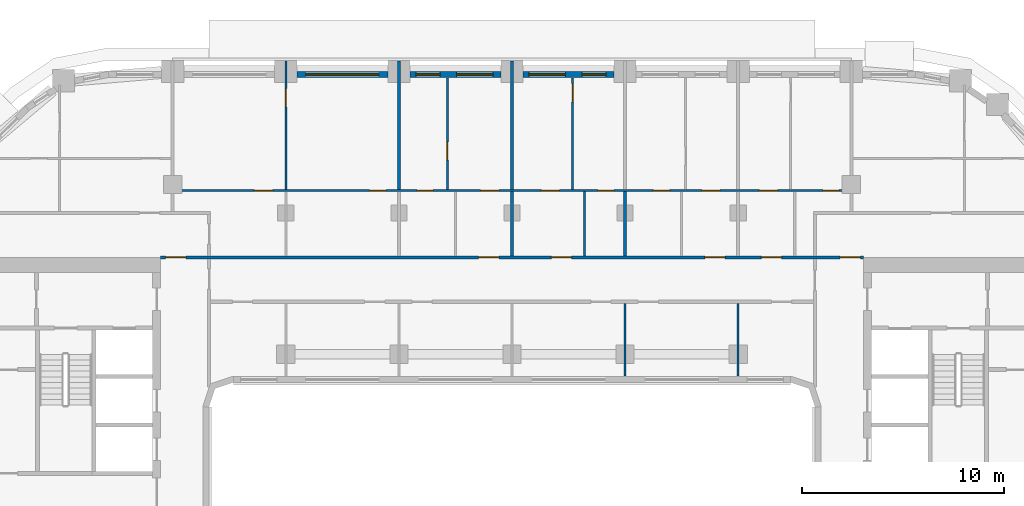
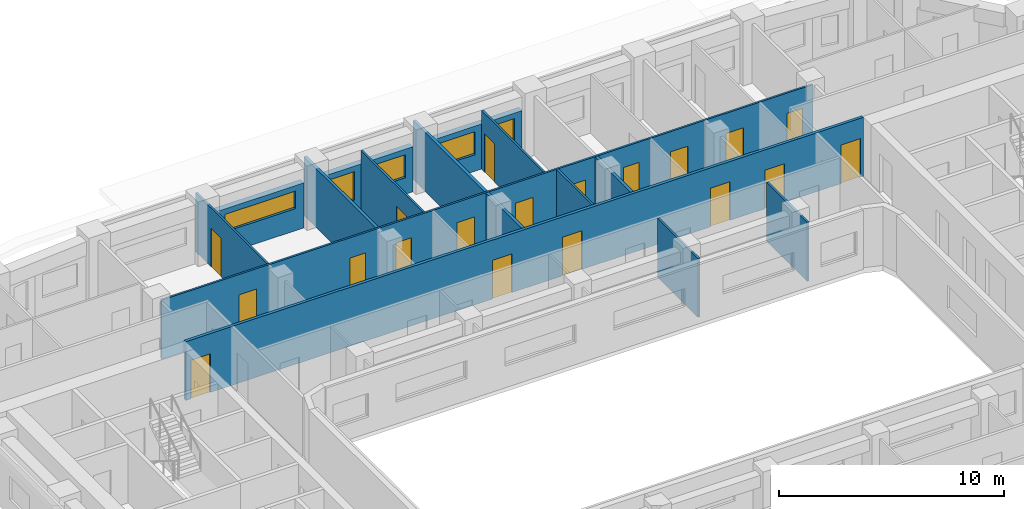
# One storey, part 8 of 22: 19 doors, 15 walls, 5 windows, 24 openings.
"""IFC4 building model written with IfcOpenShell, lengths in metres."""

import ifcopenshell
import ifcopenshell.guid

model = None  # the IFC model being written
_history = None  # IfcOwnerHistory: only IFC2X3 demands one
_inside = {}  # id of a spatial element -> (the spatial element, [elements in it])
_under = {}  # id of a project, library or spatial element -> (it, [spatial elements below it])
_declared = {}  # id of a project -> (the project, [libraries it declares])
_typed = {}  # id of a type object -> (the type object, [elements of that type])
_made_of = {}  # id of a material, layer set ... -> (it, [elements and type objects made of it])


def new_model(schema):
    """Start an empty IFC model of exactly this schema.

    Asked for "IFC4X3", IfcOpenShell would pick the latest addendum, in which some entities
    have other attributes; the version numbers below select the first issue.
    IFC2X3 requires an IfcOwnerHistory on every rooted entity: one is made here for all.
    """
    global model, _history
    if schema == "IFC4X3":
        model = ifcopenshell.file(schema_version=(4, 3, 0, 0))
    else:
        model = ifcopenshell.file(schema=schema)
    _inside.clear()
    _under.clear()
    _declared.clear()
    _typed.clear()
    _made_of.clear()
    _history = None
    if model.schema == "IFC2X3":
        org = make("IfcOrganization", Name="unknown")
        user = make(
            "IfcPersonAndOrganization",
            ThePerson=make("IfcPerson", FamilyName="unknown"),
            TheOrganization=org,
        )
        app = make(
            "IfcApplication",
            ApplicationDeveloper=org,
            Version="unknown",
            ApplicationFullName="unknown",
            ApplicationIdentifier="unknown",
        )
        _history = make(
            "IfcOwnerHistory",
            OwningUser=user,
            OwningApplication=app,
            ChangeAction="ADDED",
            CreationDate=0,
        )
    return model


def make(cls, **values):
    """One entity of the class cls with the attributes given. An attribute that is None is left unset."""
    return model.create_entity(
        cls, **{name: value for name, value in values.items() if value is not None}
    )


def rooted(cls, **values):
    """An entity with a GlobalId (a new one), such as an element, a storey or a relation."""
    return make(cls, GlobalId=ifcopenshell.guid.new(), OwnerHistory=_history, **values)


def si_unit(unit_type, name, prefix=None):
    """IfcSIUnit, for example si_unit("LENGTHUNIT", "METRE", prefix="MILLI")."""
    return make("IfcSIUnit", UnitType=unit_type, Prefix=prefix, Name=name)


def assignment(units):
    """IfcUnitAssignment: the units of a project."""
    return None if units is None else make("IfcUnitAssignment", Units=units)


def point(xyz):
    """IfcCartesianPoint."""
    return None if xyz is None else make("IfcCartesianPoint", Coordinates=xyz)


def direction(xyz):
    """IfcDirection."""
    return None if xyz is None else make("IfcDirection", DirectionRatios=xyz)


def frame(location, z_axis=None, x_axis=None):
    """IfcAxis2Placement3D, a coordinate frame: its origin and axes. An axis left out is left unset."""
    return make(
        "IfcAxis2Placement3D",
        Location=point(location),
        Axis=direction(z_axis),
        RefDirection=direction(x_axis),
    )


def frame_2d(location, x_axis=None):
    """IfcAxis2Placement2D, a coordinate frame in the plane: its origin and x axis."""
    return make(
        "IfcAxis2Placement2D", Location=point(location), RefDirection=direction(x_axis)
    )


def origin():
    """The frame at (0, 0, 0) with its axes left unset."""
    return frame((0.0, 0.0, 0.0))


def place(relative_to, where):
    """IfcLocalPlacement: puts the frame where relative to a parent placement (None: the world)."""
    return make(
        "IfcLocalPlacement", PlacementRelTo=relative_to, RelativePlacement=where
    )


def context(
    kind, dimensions, precision=None, world=None, true_north=None, identifier=None
):
    """IfcGeometricRepresentationContext, for example the 3D "Model" context."""
    return make(
        "IfcGeometricRepresentationContext",
        ContextIdentifier=identifier,
        ContextType=kind,
        CoordinateSpaceDimension=dimensions,
        Precision=precision,
        WorldCoordinateSystem=world,
        TrueNorth=true_north,
    )


def subcontext(parent, identifier, kind, view, scale=None):
    """IfcGeometricRepresentationSubContext, for example "Body" below "Model"."""
    return make(
        "IfcGeometricRepresentationSubContext",
        ContextIdentifier=identifier,
        ContextType=kind,
        ParentContext=parent,
        TargetScale=scale,
        TargetView=view,
    )


def project(units=None, contexts=None):
    """IfcProject with its units and contexts."""
    return rooted(
        "IfcProject",
        Name="project",
        RepresentationContexts=contexts,
        UnitsInContext=assignment(units),
    )


def spatial(cls, under=None, at=None, **own):
    """A site, building, storey or space (cls), placed at a placement, below another one or the project."""
    s = rooted(cls, ObjectPlacement=at, **own)
    if under is not None:
        _under.setdefault(under.id(), (under, []))[1].append(s)
    return s


def profile(cls, at=None, kind="AREA", **sizes):
    """A parametric profile (cls). Its sizes go by their IFC names, for example OverallWidth=200.0."""
    return make(cls, ProfileType=kind, Position=at, **sizes)


def rectangle(**sizes):
    """IfcRectangleProfileDef."""
    return profile("IfcRectangleProfileDef", **sizes)


def extrude(swept, where, along, depth):
    """IfcExtrudedAreaSolid: the profile swept, set in the frame where, extruded along a direction by depth."""
    return make(
        "IfcExtrudedAreaSolid",
        SweptArea=swept,
        Position=where,
        ExtrudedDirection=direction(along),
        Depth=depth,
    )


def shape(context_of_items, identifier, shape_type, items):
    """IfcShapeRepresentation: the items that make up one representation, for example the "Body"."""
    return make(
        "IfcShapeRepresentation",
        ContextOfItems=context_of_items,
        RepresentationIdentifier=identifier,
        RepresentationType=shape_type,
        Items=items,
    )


def material(Name=None, Category=None):
    """IfcMaterial."""
    return make("IfcMaterial", Name=Name, Category=Category)


def layer(
    of_material, thickness, ventilated=None, Name=None, Category=None, Priority=None
):
    """IfcMaterialLayer: one layer of a wall or slab, of a material (None: an air gap)."""
    return make(
        "IfcMaterialLayer",
        Material=of_material,
        LayerThickness=thickness,
        IsVentilated=ventilated,
        Name=Name,
        Category=Category,
        Priority=Priority,
    )


def layer_set(layers, Name=None):
    """IfcMaterialLayerSet."""
    return make("IfcMaterialLayerSet", MaterialLayers=layers, LayerSetName=Name)


def made_of(thing, what):
    """Note that an element or type object is made of a material, layer set ...; save() writes the relation."""
    if what is not None:
        _made_of.setdefault(what.id(), (what, []))[1].append(thing)
    return thing


def type_object(cls, material=None, **own):
    """A type object (cls), such as IfcWallType, which elements share."""
    return made_of(rooted(cls, **own), material)


def element(
    cls,
    number,
    at=None,
    inside=None,
    cuts=None,
    type_object=None,
    material=None,
    context=None,
    identifier="Body",
    shape_type=None,
    held_by="IfcProductDefinitionShape",
    body=None,
    shapes=None,
    **own,
):
    """One element of the class cls, such as IfcWall. Its Tag is "e" and its number.

    at: its placement. inside: the storey or other place that contains it. cuts: it is an
    opening in that element (IfcRelVoidsElement). A single representation is given by context,
    identifier, shape_type and body (its items); several are given by shapes. held_by: the class
    of the entity that holds the representations. save() writes the other relations.
    """
    e = rooted(cls, Tag="e%d" % number, ObjectPlacement=at, **own)
    if body is not None:
        shapes = [shape(context, identifier, shape_type, body)]
    if shapes is not None:
        e.Representation = make(held_by, Representations=shapes)
    if inside is not None:
        _inside.setdefault(inside.id(), (inside, []))[1].append(e)
    if cuts is not None:
        rooted(
            "IfcRelVoidsElement", RelatingBuildingElement=cuts, RelatedOpeningElement=e
        )
    if type_object is not None:
        _typed.setdefault(type_object.id(), (type_object, []))[1].append(e)
    return made_of(e, material)


def fill(opening, filler):
    """IfcRelFillsElement: the door or window that sits in an opening."""
    return rooted(
        "IfcRelFillsElement",
        RelatingOpeningElement=opening,
        RelatedBuildingElement=filler,
    )


def aggregate(whole, parts):
    """IfcRelAggregates: a whole, such as a stair, and the parts it consists of."""
    return rooted("IfcRelAggregates", RelatingObject=whole, RelatedObjects=parts)


def save(model, path):
    """Write the relations noted so far, then the file.

    IfcRelAggregates (storeys below a building ...), IfcRelContainedInSpatialStructure (elements
    in a storey), IfcRelDefinesByType, IfcRelAssociatesMaterial and IfcRelDeclares: one each for
    every whole, place, type object, material and project.
    """
    for whole, parts in _under.values():
        aggregate(whole, parts)
    for where, things in _inside.values():
        rooted(
            "IfcRelContainedInSpatialStructure",
            RelatedElements=things,
            RelatingStructure=where,
        )
    for kind, things in _typed.values():
        rooted("IfcRelDefinesByType", RelatedObjects=things, RelatingType=kind)
    for what, things in _made_of.values():
        rooted("IfcRelAssociatesMaterial", RelatedObjects=things, RelatingMaterial=what)
    for by, libraries in _declared.values():
        rooted("IfcRelDeclares", RelatingContext=by, RelatedDefinitions=libraries)
    model.write(path)


model = new_model("IFC4")

# Units and contexts
model_context = context("Model", 3, precision=1e-05, world=origin(), true_north=direction((0.0, 1.0)))
body_context = subcontext(model_context, "Body", "Model", "MODEL_VIEW")
ifc_project = project(units=[si_unit("LENGTHUNIT", "METRE"), si_unit("AREAUNIT", "SQUARE_METRE"), si_unit("VOLUMEUNIT", "CUBIC_METRE"), si_unit("PLANEANGLEUNIT", "RADIAN"), si_unit("MASSUNIT", "GRAM", prefix="KILO")], contexts=[model_context])

# Site, building, storey
site_placement = place(None, origin())
site = spatial("IfcSite", under=ifc_project, at=site_placement, CompositionType="ELEMENT")
building_placement = place(site_placement, origin())
building = spatial("IfcBuilding", under=site, at=building_placement, Name="Kiln Ring Residences", CompositionType="ELEMENT")
storey_placement = place(building_placement, frame((0.0, 0.0, 143.10009765625)))
storey = spatial("IfcBuildingStorey", under=building, at=storey_placement, Name="L36", CompositionType="ELEMENT", Elevation=143.10009765625)

# Wall, openings, windows
ifc_material_1 = material(Name="Brick masonry, dark clay brick", Category="masonry")
ifc_layer_1 = layer(ifc_material_1, 0.300048828125)
ifc_layer_set_1 = layer_set([ifc_layer_1], Name="EW-300 BRICK WALL")
wall_type_1 = type_object("IfcWallType", Name="EW-300 BRICK WALL", PredefinedType="SOLIDWALL", material=ifc_layer_set_1)
wall_1_placement = place(storey_placement, frame((5.050048828125, 22.25, 0.0), z_axis=(0.0, 0.0, 1.0), x_axis=(-1.0, 0.0, 0.0)))
wall_1 = element("IfcWall", 1, at=wall_1_placement, inside=storey, type_object=wall_type_1, Name="Facade wall L36 31", PredefinedType="SOLIDWALL", context=body_context, shape_type="SweptSolid", body=[
    extrude(rectangle(XDim=4.5, YDim=0.300048828125, at=frame_2d((2.25, 0.0))), origin(), (0.0, 0.0, 1.0), 2.449951171875),
])
opening_1_placement = place(wall_1_placement, frame((0.387451171875, 0.0, 0.60009765625)))
opening_1 = element("IfcOpeningElement", 2, at=opening_1_placement, cuts=wall_1, Name="Opening W1", PredefinedType="OPENING", context=body_context, shape_type="SweptSolid", body=[
    extrude(rectangle(XDim=1.199951171875, YDim=1.550048828125, at=frame_2d((0.60009765625, 0.77490234375))), frame((0.0, 0.159912109375, 0.0), z_axis=(0.0, -1.0, 0.0), x_axis=(1.0, 0.0, 0.0)), (0.0, 0.0, 1.0), 0.320068359375),
])
opening_2_placement = place(wall_1_placement, frame((2.41259765625, 0.0, 0.89990234375)))
opening_2 = element("IfcOpeningElement", 3, at=opening_2_placement, cuts=wall_1, Name="Opening W2", PredefinedType="OPENING", context=body_context, shape_type="SweptSolid", body=[
    extrude(rectangle(XDim=1.800048828125, YDim=1.25, at=frame_2d((0.89990234375, 0.625))), frame((0.0, 0.159912109375, 0.0), z_axis=(0.0, -1.0, 0.0), x_axis=(1.0, 0.0, 0.0)), (0.0, 0.0, 1.0), 0.320068359375),
])
ifc_material_2 = material(Name="Aluminium frame with double glazing", Category="aluminium")
window_type_1 = type_object("IfcWindowType", Name="WINDOW 1200 x 1550", PartitioningType="SINGLE_PANEL", PredefinedType="WINDOW", material=ifc_material_2)
window_1_placement = place(opening_1_placement, origin())
window_1 = element("IfcWindow", 4, at=window_1_placement, inside=storey, type_object=window_type_1, Name="Window L36 23", OverallHeight=1.550048828125, OverallWidth=1.199951171875, PartitioningType="SINGLE_PANEL", PredefinedType="WINDOW", context=body_context, shape_type="SweptSolid", body=[
    extrude(rectangle(XDim=1.199951171875, YDim=1.550048828125, at=frame_2d((0.60009765625, 0.77490234375))), frame((0.0, 0.030029296875, 0.0), z_axis=(0.0, -1.0, 0.0), x_axis=(1.0, 0.0, 0.0)), (0.0, 0.0, 1.0), 0.06005859375),
])
fill(opening_1, window_1)
ifc_material_3 = material(Name="Aluminium frame with double glazing", Category="aluminium")
window_type_2 = type_object("IfcWindowType", Name="WINDOW 1800 x 1250", PartitioningType="SINGLE_PANEL", PredefinedType="WINDOW", material=ifc_material_3)
window_2_placement = place(opening_2_placement, origin())
window_2 = element("IfcWindow", 5, at=window_2_placement, inside=storey, type_object=window_type_2, Name="Window L36 24", OverallHeight=1.25, OverallWidth=1.800048828125, PartitioningType="SINGLE_PANEL", PredefinedType="WINDOW", context=body_context, shape_type="SweptSolid", body=[
    extrude(rectangle(XDim=1.800048828125, YDim=1.25, at=frame_2d((0.89990234375, 0.625))), frame((0.0, 0.030029296875, 0.0), z_axis=(0.0, -1.0, 0.0), x_axis=(1.0, 0.0, 0.0)), (0.0, 0.0, 1.0), 0.06005859375),
])
fill(opening_2, window_2)

wall_2_placement = place(storey_placement, frame((-0.550048828125, 22.25, 0.0), z_axis=(0.0, 0.0, 1.0), x_axis=(-1.0, 0.0, 0.0)))
wall_2 = element("IfcWall", 6, at=wall_2_placement, inside=storey, type_object=wall_type_1, Name="Facade wall L36 32", PredefinedType="SOLIDWALL", context=body_context, shape_type="SweptSolid", body=[
    extrude(rectangle(XDim=4.5, YDim=0.300048828125, at=frame_2d((2.25, 0.0))), origin(), (0.0, 0.0, 1.0), 2.449951171875),
])
opening_3_placement = place(wall_2_placement, frame((0.387451171875, 0.0, 0.89990234375)))
opening_3 = element("IfcOpeningElement", 7, at=opening_3_placement, cuts=wall_2, Name="Opening W2", PredefinedType="OPENING", context=body_context, shape_type="SweptSolid", body=[
    extrude(rectangle(XDim=1.800048828125, YDim=1.25, at=frame_2d((0.89990234375, 0.625))), frame((0.0, 0.159912109375, 0.0), z_axis=(0.0, -1.0, 0.0), x_axis=(1.0, 0.0, 0.0)), (0.0, 0.0, 1.0), 0.320068359375),
])
opening_4_placement = place(wall_2_placement, frame((3.012451171875, 0.0, 0.60009765625)))
opening_4 = element("IfcOpeningElement", 8, at=opening_4_placement, cuts=wall_2, Name="Opening W1", PredefinedType="OPENING", context=body_context, shape_type="SweptSolid", body=[
    extrude(rectangle(XDim=1.199951171875, YDim=1.550048828125, at=frame_2d((0.60009765625, 0.77490234375))), frame((0.0, 0.159912109375, 0.0), z_axis=(0.0, -1.0, 0.0), x_axis=(1.0, 0.0, 0.0)), (0.0, 0.0, 1.0), 0.320068359375),
])
window_3_placement = place(opening_4_placement, origin())
window_3 = element("IfcWindow", 9, at=window_3_placement, inside=storey, type_object=window_type_1, Name="Window L36 26", OverallHeight=1.550048828125, OverallWidth=1.199951171875, PartitioningType="SINGLE_PANEL", PredefinedType="WINDOW", context=body_context, shape_type="SweptSolid", body=[
    extrude(rectangle(XDim=1.199951171875, YDim=1.550048828125, at=frame_2d((0.60009765625, 0.77490234375))), frame((0.0, 0.030029296875, 0.0), z_axis=(0.0, -1.0, 0.0), x_axis=(1.0, 0.0, 0.0)), (0.0, 0.0, 1.0), 0.06005859375),
])
fill(opening_4, window_3)
window_4_placement = place(opening_3_placement, origin())
window_4 = element("IfcWindow", 10, at=window_4_placement, inside=storey, type_object=window_type_2, Name="Window L36 25", OverallHeight=1.25, OverallWidth=1.800048828125, PartitioningType="SINGLE_PANEL", PredefinedType="WINDOW", context=body_context, shape_type="SweptSolid", body=[
    extrude(rectangle(XDim=1.800048828125, YDim=1.25, at=frame_2d((0.89990234375, 0.625))), frame((0.0, 0.030029296875, 0.0), z_axis=(0.0, -1.0, 0.0), x_axis=(1.0, 0.0, 0.0)), (0.0, 0.0, 1.0), 0.06005859375),
])
fill(opening_3, window_4)

# Wall, opening, window
wall_3_placement = place(storey_placement, frame((-6.14990234375, 22.25, 0.0), z_axis=(0.0, 0.0, 1.0), x_axis=(-1.0, 0.0, 0.0)))
wall_3 = element("IfcWall", 11, at=wall_3_placement, inside=storey, type_object=wall_type_1, Name="Facade wall L36 33", PredefinedType="SOLIDWALL", context=body_context, shape_type="SweptSolid", body=[
    extrude(rectangle(XDim=4.5, YDim=0.300048828125, at=frame_2d((2.25, 0.0))), origin(), (0.0, 0.0, 1.0), 2.449951171875),
])
opening_5_placement = place(wall_3_placement, frame((0.449951171875, 0.0, 1.199951171875)))
opening_5 = element("IfcOpeningElement", 12, at=opening_5_placement, cuts=wall_3, Name="Opening W4", PredefinedType="OPENING", context=body_context, shape_type="SweptSolid", body=[
    extrude(rectangle(XDim=3.60009765625, YDim=0.949951171875, at=frame_2d((1.800048828125, 0.47509765625))), frame((0.0, 0.159912109375, 0.0), z_axis=(0.0, -1.0, 0.0), x_axis=(1.0, 0.0, 0.0)), (0.0, 0.0, 1.0), 0.320068359375),
])
ifc_material_4 = material(Name="Aluminium frame with double glazing", Category="aluminium")
window_type_3 = type_object("IfcWindowType", Name="WINDOW 3600 x 950", PartitioningType="SINGLE_PANEL", PredefinedType="WINDOW", material=ifc_material_4)
window_5_placement = place(opening_5_placement, origin())
window_5 = element("IfcWindow", 13, at=window_5_placement, inside=storey, type_object=window_type_3, Name="Window L36 27", OverallHeight=0.949951171875, OverallWidth=3.60009765625, PartitioningType="SINGLE_PANEL", PredefinedType="WINDOW", context=body_context, shape_type="SweptSolid", body=[
    extrude(rectangle(XDim=3.60009765625, YDim=0.949951171875, at=frame_2d((1.800048828125, 0.47509765625))), frame((0.0, 0.030029296875, 0.0), z_axis=(0.0, -1.0, 0.0), x_axis=(1.0, 0.0, 0.0)), (0.0, 0.0, 1.0), 0.06005859375),
])
fill(opening_5, window_5)

# Wall, openings, doors
ifc_material_5 = material(Name="Gypsum board on steel studs", Category="steel")
ifc_layer_2 = layer(ifc_material_5, 0.10009765625)
ifc_layer_set_2 = layer_set([ifc_layer_2], Name="PARTITION-100")
wall_type_2 = type_object("IfcWallType", Name="PARTITION-100", PredefinedType="PARTITIONING", material=ifc_layer_set_2)
wall_4_placement = place(storey_placement, frame((-16.72509765625, 16.5, 0.0), z_axis=(0.0, 0.0, 1.0), x_axis=(1.0, 0.0, 0.0)))
wall_4 = element("IfcWall", 14, at=wall_4_placement, inside=storey, type_object=wall_type_2, Name="Partition 011", PredefinedType="PARTITIONING", context=body_context, shape_type="SweptSolid", body=[
    extrude(rectangle(XDim=33.4501953125, YDim=0.10009765625, at=frame_2d((16.72509765625, 0.0))), origin(), (0.0, 0.0, 1.0), 3.199951171875),
])
opening_6_placement = place(wall_4_placement, frame((9.675048828125, 0.0, 0.0)))
opening_6 = element("IfcOpeningElement", 15, at=opening_6_placement, cuts=wall_4, Name="Opening L36-D016", PredefinedType="OPENING", context=body_context, shape_type="SweptSolid", body=[
    extrude(rectangle(XDim=0.800048828125, YDim=2.10009765625, at=frame_2d((0.39990234375, 1.050048828125))), frame((0.0, 0.06005859375, 0.0), z_axis=(0.0, -1.0, 0.0), x_axis=(1.0, 0.0, 0.0)), (0.0, 0.0, 1.0), 0.1201171875),
])
opening_7_placement = place(wall_4_placement, frame((3.97509765625, 0.0, 0.0)))
opening_7 = element("IfcOpeningElement", 16, at=opening_7_placement, cuts=wall_4, Name="Opening L36-D017", PredefinedType="OPENING", context=body_context, shape_type="SweptSolid", body=[
    extrude(rectangle(XDim=0.89990234375, YDim=2.10009765625, at=frame_2d((0.449951171875, 1.050048828125))), frame((0.0, 0.06005859375, 0.0), z_axis=(0.0, -1.0, 0.0), x_axis=(1.0, 0.0, 0.0)), (0.0, 0.0, 1.0), 0.1201171875),
])
opening_8_placement = place(wall_4_placement, frame((12.02490234375, 0.0, 0.0)))
opening_8 = element("IfcOpeningElement", 17, at=opening_8_placement, cuts=wall_4, Name="Opening L36-D020", PredefinedType="OPENING", context=body_context, shape_type="SweptSolid", body=[
    extrude(rectangle(XDim=0.800048828125, YDim=2.10009765625, at=frame_2d((0.39990234375, 1.050048828125))), frame((0.0, 0.06005859375, 0.0), z_axis=(0.0, -1.0, 0.0), x_axis=(1.0, 0.0, 0.0)), (0.0, 0.0, 1.0), 0.1201171875),
])
opening_9_placement = place(wall_4_placement, frame((15.175048828125, 0.0, 0.0)))
opening_9 = element("IfcOpeningElement", 18, at=opening_9_placement, cuts=wall_4, Name="Opening L36-D021", PredefinedType="OPENING", context=body_context, shape_type="SweptSolid", body=[
    extrude(rectangle(XDim=0.89990234375, YDim=2.10009765625, at=frame_2d((0.449951171875, 1.050048828125))), frame((0.0, 0.06005859375, 0.0), z_axis=(0.0, -1.0, 0.0), x_axis=(1.0, 0.0, 0.0)), (0.0, 0.0, 1.0), 0.1201171875),
])
opening_10_placement = place(wall_4_placement, frame((20.97509765625, 0.0, 0.0)))
opening_10 = element("IfcOpeningElement", 19, at=opening_10_placement, cuts=wall_4, Name="Opening L36-D024", PredefinedType="OPENING", context=body_context, shape_type="SweptSolid", body=[
    extrude(rectangle(XDim=0.800048828125, YDim=2.10009765625, at=frame_2d((0.39990234375, 1.050048828125))), frame((0.0, 0.06005859375, 0.0), z_axis=(0.0, -1.0, 0.0), x_axis=(1.0, 0.0, 0.0)), (0.0, 0.0, 1.0), 0.1201171875),
])
opening_11_placement = place(wall_4_placement, frame((18.175048828125, 0.0, 0.0)))
opening_11 = element("IfcOpeningElement", 20, at=opening_11_placement, cuts=wall_4, Name="Opening L36-D025", PredefinedType="OPENING", context=body_context, shape_type="SweptSolid", body=[
    extrude(rectangle(XDim=0.89990234375, YDim=2.10009765625, at=frame_2d((0.449951171875, 1.050048828125))), frame((0.0, 0.06005859375, 0.0), z_axis=(0.0, -1.0, 0.0), x_axis=(1.0, 0.0, 0.0)), (0.0, 0.0, 1.0), 0.1201171875),
])
opening_12_placement = place(wall_4_placement, frame((23.72509765625, 0.0, 0.0)))
opening_12 = element("IfcOpeningElement", 21, at=opening_12_placement, cuts=wall_4, Name="Opening L36-D028", PredefinedType="OPENING", context=body_context, shape_type="SweptSolid", body=[
    extrude(rectangle(XDim=0.800048828125, YDim=2.10009765625, at=frame_2d((0.39990234375, 1.050048828125))), frame((0.0, 0.06005859375, 0.0), z_axis=(0.0, -1.0, 0.0), x_axis=(1.0, 0.0, 0.0)), (0.0, 0.0, 1.0), 0.1201171875),
])
opening_13_placement = place(wall_4_placement, frame((26.125, 0.0, 0.0)))
opening_13 = element("IfcOpeningElement", 22, at=opening_13_placement, cuts=wall_4, Name="Opening L36-D029", PredefinedType="OPENING", context=body_context, shape_type="SweptSolid", body=[
    extrude(rectangle(XDim=0.89990234375, YDim=2.10009765625, at=frame_2d((0.449951171875, 1.050048828125))), frame((0.0, 0.06005859375, 0.0), z_axis=(0.0, -1.0, 0.0), x_axis=(1.0, 0.0, 0.0)), (0.0, 0.0, 1.0), 0.1201171875),
])
opening_14_placement = place(wall_4_placement, frame((32.125, 0.0, 0.0)))
opening_14 = element("IfcOpeningElement", 23, at=opening_14_placement, cuts=wall_4, Name="Opening L36-D032", PredefinedType="OPENING", context=body_context, shape_type="SweptSolid", body=[
    extrude(rectangle(XDim=0.800048828125, YDim=2.10009765625, at=frame_2d((0.39990234375, 1.050048828125))), frame((0.0, 0.06005859375, 0.0), z_axis=(0.0, -1.0, 0.0), x_axis=(1.0, 0.0, 0.0)), (0.0, 0.0, 1.0), 0.1201171875),
])
opening_15_placement = place(wall_4_placement, frame((28.97509765625, 0.0, 0.0)))
opening_15 = element("IfcOpeningElement", 24, at=opening_15_placement, cuts=wall_4, Name="Opening L36-D033", PredefinedType="OPENING", context=body_context, shape_type="SweptSolid", body=[
    extrude(rectangle(XDim=0.89990234375, YDim=2.10009765625, at=frame_2d((0.449951171875, 1.050048828125))), frame((0.0, 0.06005859375, 0.0), z_axis=(0.0, -1.0, 0.0), x_axis=(1.0, 0.0, 0.0)), (0.0, 0.0, 1.0), 0.1201171875),
])
ifc_material_6 = material(Name="Timber door leaf", Category="wood")
door_type_1 = type_object("IfcDoorType", Name="FLAT-DOOR-800-PL", OperationType="SINGLE_SWING_LEFT", PredefinedType="DOOR", material=ifc_material_6)
door_1_placement = place(opening_6_placement, origin())
door_1 = element("IfcDoor", 25, at=door_1_placement, inside=storey, type_object=door_type_1, Name="Door L36-D016", OperationType="SINGLE_SWING_RIGHT", OverallHeight=2.10009765625, OverallWidth=0.800048828125, PredefinedType="DOOR", context=body_context, shape_type="SweptSolid", body=[
    extrude(rectangle(XDim=0.800048828125, YDim=2.10009765625, at=frame_2d((0.39990234375, 1.050048828125))), frame((0.0, 0.02490234375, 0.0), z_axis=(0.0, -1.0, 0.0), x_axis=(1.0, 0.0, 0.0)), (0.0, 0.0, 1.0), 0.050048828125),
])
fill(opening_6, door_1)
door_2_placement = place(opening_8_placement, origin())
door_2 = element("IfcDoor", 26, at=door_2_placement, inside=storey, type_object=door_type_1, Name="Door L36-D020", OperationType="SINGLE_SWING_RIGHT", OverallHeight=2.10009765625, OverallWidth=0.800048828125, PredefinedType="DOOR", context=body_context, shape_type="SweptSolid", body=[
    extrude(rectangle(XDim=0.800048828125, YDim=2.10009765625, at=frame_2d((0.39990234375, 1.050048828125))), frame((0.0, 0.02490234375, 0.0), z_axis=(0.0, -1.0, 0.0), x_axis=(1.0, 0.0, 0.0)), (0.0, 0.0, 1.0), 0.050048828125),
])
fill(opening_8, door_2)
door_3_placement = place(opening_10_placement, origin())
door_3 = element("IfcDoor", 27, at=door_3_placement, inside=storey, type_object=door_type_1, Name="Door L36-D024", OperationType="SINGLE_SWING_RIGHT", OverallHeight=2.10009765625, OverallWidth=0.800048828125, PredefinedType="DOOR", context=body_context, shape_type="SweptSolid", body=[
    extrude(rectangle(XDim=0.800048828125, YDim=2.10009765625, at=frame_2d((0.39990234375, 1.050048828125))), frame((0.0, 0.02490234375, 0.0), z_axis=(0.0, -1.0, 0.0), x_axis=(1.0, 0.0, 0.0)), (0.0, 0.0, 1.0), 0.050048828125),
])
fill(opening_10, door_3)
door_4_placement = place(opening_12_placement, origin())
door_4 = element("IfcDoor", 28, at=door_4_placement, inside=storey, type_object=door_type_1, Name="Door L36-D028", OperationType="SINGLE_SWING_RIGHT", OverallHeight=2.10009765625, OverallWidth=0.800048828125, PredefinedType="DOOR", context=body_context, shape_type="SweptSolid", body=[
    extrude(rectangle(XDim=0.800048828125, YDim=2.10009765625, at=frame_2d((0.39990234375, 1.050048828125))), frame((0.0, 0.02490234375, 0.0), z_axis=(0.0, -1.0, 0.0), x_axis=(1.0, 0.0, 0.0)), (0.0, 0.0, 1.0), 0.050048828125),
])
fill(opening_12, door_4)
door_5_placement = place(opening_14_placement, origin())
door_5 = element("IfcDoor", 29, at=door_5_placement, inside=storey, type_object=door_type_1, Name="Door L36-D032", OperationType="SINGLE_SWING_RIGHT", OverallHeight=2.10009765625, OverallWidth=0.800048828125, PredefinedType="DOOR", context=body_context, shape_type="SweptSolid", body=[
    extrude(rectangle(XDim=0.800048828125, YDim=2.10009765625, at=frame_2d((0.39990234375, 1.050048828125))), frame((0.0, 0.02490234375, 0.0), z_axis=(0.0, -1.0, 0.0), x_axis=(1.0, 0.0, 0.0)), (0.0, 0.0, 1.0), 0.050048828125),
])
fill(opening_14, door_5)
ifc_material_7 = material(Name="Timber door leaf", Category="wood")
door_type_2 = type_object("IfcDoorType", Name="FLAT-DOOR-900-PL", OperationType="SINGLE_SWING_LEFT", PredefinedType="DOOR", material=ifc_material_7)
door_6_placement = place(opening_7_placement, origin())
door_6 = element("IfcDoor", 30, at=door_6_placement, inside=storey, type_object=door_type_2, Name="Door L36-D017", OperationType="SINGLE_SWING_LEFT", OverallHeight=2.10009765625, OverallWidth=0.89990234375, PredefinedType="DOOR", context=body_context, shape_type="SweptSolid", body=[
    extrude(rectangle(XDim=0.89990234375, YDim=2.10009765625, at=frame_2d((0.449951171875, 1.050048828125))), frame((0.0, 0.02490234375, 0.0), z_axis=(0.0, -1.0, 0.0), x_axis=(1.0, 0.0, 0.0)), (0.0, 0.0, 1.0), 0.050048828125),
])
fill(opening_7, door_6)
door_7_placement = place(opening_9_placement, origin())
door_7 = element("IfcDoor", 31, at=door_7_placement, inside=storey, type_object=door_type_2, Name="Door L36-D021", OperationType="SINGLE_SWING_LEFT", OverallHeight=2.10009765625, OverallWidth=0.89990234375, PredefinedType="DOOR", context=body_context, shape_type="SweptSolid", body=[
    extrude(rectangle(XDim=0.89990234375, YDim=2.10009765625, at=frame_2d((0.449951171875, 1.050048828125))), frame((0.0, 0.02490234375, 0.0), z_axis=(0.0, -1.0, 0.0), x_axis=(1.0, 0.0, 0.0)), (0.0, 0.0, 1.0), 0.050048828125),
])
fill(opening_9, door_7)
door_8_placement = place(opening_11_placement, origin())
door_8 = element("IfcDoor", 32, at=door_8_placement, inside=storey, type_object=door_type_2, Name="Door L36-D025", OperationType="SINGLE_SWING_LEFT", OverallHeight=2.10009765625, OverallWidth=0.89990234375, PredefinedType="DOOR", context=body_context, shape_type="SweptSolid", body=[
    extrude(rectangle(XDim=0.89990234375, YDim=2.10009765625, at=frame_2d((0.449951171875, 1.050048828125))), frame((0.0, 0.02490234375, 0.0), z_axis=(0.0, -1.0, 0.0), x_axis=(1.0, 0.0, 0.0)), (0.0, 0.0, 1.0), 0.050048828125),
])
fill(opening_11, door_8)
door_9_placement = place(opening_13_placement, origin())
door_9 = element("IfcDoor", 33, at=door_9_placement, inside=storey, type_object=door_type_2, Name="Door L36-D029", OperationType="SINGLE_SWING_LEFT", OverallHeight=2.10009765625, OverallWidth=0.89990234375, PredefinedType="DOOR", context=body_context, shape_type="SweptSolid", body=[
    extrude(rectangle(XDim=0.89990234375, YDim=2.10009765625, at=frame_2d((0.449951171875, 1.050048828125))), frame((0.0, 0.02490234375, 0.0), z_axis=(0.0, -1.0, 0.0), x_axis=(1.0, 0.0, 0.0)), (0.0, 0.0, 1.0), 0.050048828125),
])
fill(opening_13, door_9)
door_10_placement = place(opening_15_placement, origin())
door_10 = element("IfcDoor", 34, at=door_10_placement, inside=storey, type_object=door_type_2, Name="Door L36-D033", OperationType="SINGLE_SWING_LEFT", OverallHeight=2.10009765625, OverallWidth=0.89990234375, PredefinedType="DOOR", context=body_context, shape_type="SweptSolid", body=[
    extrude(rectangle(XDim=0.89990234375, YDim=2.10009765625, at=frame_2d((0.449951171875, 1.050048828125))), frame((0.0, 0.02490234375, 0.0), z_axis=(0.0, -1.0, 0.0), x_axis=(1.0, 0.0, 0.0)), (0.0, 0.0, 1.0), 0.050048828125),
])
fill(opening_15, door_10)

# Wall, opening, door
wall_5_placement = place(storey_placement, frame((-11.199951171875, 16.550048828125, 0.0), z_axis=(0.0, 0.0, 1.0), x_axis=(0.0, 1.0, 0.0)))
wall_5 = element("IfcWall", 35, at=wall_5_placement, inside=storey, type_object=wall_type_2, Name="Partition 029", PredefinedType="PARTITIONING", context=body_context, shape_type="SweptSolid", body=[
    extrude(rectangle(XDim=6.3798828125, YDim=0.10009765625, at=frame_2d((3.18994140625, 0.0))), origin(), (0.0, 0.0, 1.0), 3.199951171875),
])
opening_16_placement = place(wall_5_placement, frame((4.10009765625, 0.0, 0.0)))
opening_16 = element("IfcOpeningElement", 36, at=opening_16_placement, cuts=wall_5, Name="Opening L36-D018", PredefinedType="OPENING", context=body_context, shape_type="SweptSolid", body=[
    extrude(rectangle(XDim=0.89990234375, YDim=2.10009765625, at=frame_2d((0.449951171875, 1.050048828125))), frame((0.0, 0.06005859375, 0.0), z_axis=(0.0, -1.0, 0.0), x_axis=(1.0, 0.0, 0.0)), (0.0, 0.0, 1.0), 0.1201171875),
])
door_11_placement = place(opening_16_placement, origin())
door_11 = element("IfcDoor", 37, at=door_11_placement, inside=storey, type_object=door_type_2, Name="Door L36-D018", OperationType="SINGLE_SWING_RIGHT", OverallHeight=2.10009765625, OverallWidth=0.89990234375, PredefinedType="DOOR", context=body_context, shape_type="SweptSolid", body=[
    extrude(rectangle(XDim=0.89990234375, YDim=2.10009765625, at=frame_2d((0.449951171875, 1.050048828125))), frame((0.0, 0.02490234375, 0.0), z_axis=(0.0, -1.0, 0.0), x_axis=(1.0, 0.0, 0.0)), (0.0, 0.0, 1.0), 0.050048828125),
])
fill(opening_16, door_11)

wall_6_placement = place(storey_placement, frame((-3.199951171875, 16.550048828125, 0.0), z_axis=(0.0, 0.0, 1.0), x_axis=(0.0, 1.0, 0.0)))
wall_6 = element("IfcWall", 38, at=wall_6_placement, inside=storey, type_object=wall_type_2, Name="Partition 036", PredefinedType="PARTITIONING", context=body_context, shape_type="SweptSolid", body=[
    extrude(rectangle(XDim=5.530029296875, YDim=0.10009765625, at=frame_2d((2.76513671875, 0.0))), origin(), (0.0, 0.0, 1.0), 3.199951171875),
])
opening_17_placement = place(wall_6_placement, frame((1.4599609375, 0.0, 0.0)))
opening_17 = element("IfcOpeningElement", 39, at=opening_17_placement, cuts=wall_6, Name="Opening L36-D022", PredefinedType="OPENING", context=body_context, shape_type="SweptSolid", body=[
    extrude(rectangle(XDim=0.89990234375, YDim=2.10009765625, at=frame_2d((0.449951171875, 1.050048828125))), frame((0.0, 0.06005859375, 0.0), z_axis=(0.0, -1.0, 0.0), x_axis=(1.0, 0.0, 0.0)), (0.0, 0.0, 1.0), 0.1201171875),
])
door_12_placement = place(opening_17_placement, origin())
door_12 = element("IfcDoor", 40, at=door_12_placement, inside=storey, type_object=door_type_2, Name="Door L36-D022", OperationType="SINGLE_SWING_RIGHT", OverallHeight=2.10009765625, OverallWidth=0.89990234375, PredefinedType="DOOR", context=body_context, shape_type="SweptSolid", body=[
    extrude(rectangle(XDim=0.89990234375, YDim=2.10009765625, at=frame_2d((0.449951171875, 1.050048828125))), frame((0.0, 0.02490234375, 0.0), z_axis=(0.0, -1.0, 0.0), x_axis=(1.0, 0.0, 0.0)), (0.0, 0.0, 1.0), 0.050048828125),
])
fill(opening_17, door_12)

wall_7_placement = place(storey_placement, frame((3.0, 16.550048828125, 0.0), z_axis=(0.0, 0.0, 1.0), x_axis=(0.0, 1.0, 0.0)))
wall_7 = element("IfcWall", 41, at=wall_7_placement, inside=storey, type_object=wall_type_2, Name="Partition 047", PredefinedType="PARTITIONING", context=body_context, shape_type="SweptSolid", body=[
    extrude(rectangle(XDim=5.530029296875, YDim=0.10009765625, at=frame_2d((2.76513671875, 0.0))), origin(), (0.0, 0.0, 1.0), 3.199951171875),
])
opening_18_placement = place(wall_7_placement, frame((4.35009765625, 0.0, 0.0)))
opening_18 = element("IfcOpeningElement", 42, at=opening_18_placement, cuts=wall_7, Name="Opening L36-D026", PredefinedType="OPENING", context=body_context, shape_type="SweptSolid", body=[
    extrude(rectangle(XDim=0.89990234375, YDim=2.10009765625, at=frame_2d((0.449951171875, 1.050048828125))), frame((0.0, 0.06005859375, 0.0), z_axis=(0.0, -1.0, 0.0), x_axis=(1.0, 0.0, 0.0)), (0.0, 0.0, 1.0), 0.1201171875),
])
door_13_placement = place(opening_18_placement, origin())
door_13 = element("IfcDoor", 43, at=door_13_placement, inside=storey, type_object=door_type_2, Name="Door L36-D026", OperationType="SINGLE_SWING_RIGHT", OverallHeight=2.10009765625, OverallWidth=0.89990234375, PredefinedType="DOOR", context=body_context, shape_type="SweptSolid", body=[
    extrude(rectangle(XDim=0.89990234375, YDim=2.10009765625, at=frame_2d((0.449951171875, 1.050048828125))), frame((0.0, 0.02490234375, 0.0), z_axis=(0.0, -1.0, 0.0), x_axis=(1.0, 0.0, 0.0)), (0.0, 0.0, 1.0), 0.050048828125),
])
fill(opening_18, door_13)

# Walls
wall_8_placement = place(storey_placement, frame((3.60009765625, 13.27490234375, 0.0), z_axis=(0.0, 0.0, 1.0), x_axis=(0.0, 1.0, 0.0)))
element("IfcWall", 44, at=wall_8_placement, inside=storey, type_object=wall_type_2, Name="Partition 048", PredefinedType="PARTITIONING", context=body_context, shape_type="SweptSolid", body=[
    extrude(rectangle(XDim=3.175048828125, YDim=0.10009765625, at=frame_2d((1.58740234375, 0.0))), origin(), (0.0, 0.0, 1.0), 3.199951171875),
])
for number, where, z_axis, x_axis, name in (
    (45, (5.60009765625, 7.320068359375, 0.0), (0.0, 0.0, 1.0), (0.0, 1.0, 0.0), "Partition 050"),
    (46, (11.199951171875, 7.320068359375, 0.0), (0.0, 0.0, 1.0), (0.0, 1.0, 0.0), "Partition 061"),
):
    element("IfcWall", number, at=place(storey_placement, frame(where, z_axis=z_axis, x_axis=x_axis)), inside=storey, type_object=wall_type_2, Name=name, PredefinedType="PARTITIONING", context=body_context, shape_type="SweptSolid", body=[
        extrude(rectangle(XDim=3.60498046875, YDim=0.10009765625, at=frame_2d((1.802490234375, 0.0))), origin(), (0.0, 0.0, 1.0), 3.199951171875),
    ])

# Wall, openings, doors
ifc_material_8 = material(Name="Brick masonry partition", Category="masonry")
ifc_layer_3 = layer(ifc_material_8, 0.14990234375)
ifc_layer_set_3 = layer_set([ifc_layer_3], Name="PARTITION-150-ei60")
wall_type_3 = type_object("IfcWallType", Name="PARTITION-150-ei60", PredefinedType="PARTITIONING", material=ifc_layer_set_3)
wall_9_placement = place(storey_placement, frame((-17.39990234375, 13.199951171875, 0.0), z_axis=(0.0, 0.0, 1.0), x_axis=(1.0, 0.0, 0.0)))
wall_9 = element("IfcWall", 47, at=wall_9_placement, inside=storey, type_object=wall_type_3, Name="Partition 008", PredefinedType="PARTITIONING", context=body_context, shape_type="SweptSolid", body=[
    extrude(rectangle(XDim=34.7998046875, YDim=0.14990234375, at=frame_2d((17.39990234375, 0.0))), origin(), (0.0, 0.0, 1.0), 3.199951171875),
])
opening_19_placement = place(wall_9_placement, frame((0.25, 0.0, 0.0)))
opening_19 = element("IfcOpeningElement", 48, at=opening_19_placement, cuts=wall_9, Name="Opening L36-D003", PredefinedType="OPENING", context=body_context, shape_type="SweptSolid", body=[
    extrude(rectangle(XDim=1.0, YDim=2.10009765625, at=frame_2d((0.5, 1.050048828125))), frame((0.0, 0.0849609375, 0.0), z_axis=(0.0, -1.0, 0.0), x_axis=(1.0, 0.0, 0.0)), (0.0, 0.0, 1.0), 0.169921875),
])
opening_20_placement = place(wall_9_placement, frame((33.64990234375, 0.0, 0.0)))
opening_20 = element("IfcOpeningElement", 49, at=opening_20_placement, cuts=wall_9, Name="Opening L36-D004", PredefinedType="OPENING", context=body_context, shape_type="SweptSolid", body=[
    extrude(rectangle(XDim=1.0, YDim=2.10009765625, at=frame_2d((0.5, 1.050048828125))), frame((0.0, 0.0849609375, 0.0), z_axis=(0.0, -1.0, 0.0), x_axis=(1.0, 0.0, 0.0)), (0.0, 0.0, 1.0), 0.169921875),
])
opening_21_placement = place(wall_9_placement, frame((15.75, 0.0, 0.0)))
opening_21 = element("IfcOpeningElement", 50, at=opening_21_placement, cuts=wall_9, Name="Opening L36-D019", PredefinedType="OPENING", context=body_context, shape_type="SweptSolid", body=[
    extrude(rectangle(XDim=1.0, YDim=2.10009765625, at=frame_2d((0.5, 1.050048828125))), frame((0.0, 0.0849609375, 0.0), z_axis=(0.0, -1.0, 0.0), x_axis=(1.0, 0.0, 0.0)), (0.0, 0.0, 1.0), 0.169921875),
])
opening_22_placement = place(wall_9_placement, frame((19.35009765625, 0.0, 0.0)))
opening_22 = element("IfcOpeningElement", 51, at=opening_22_placement, cuts=wall_9, Name="Opening L36-D023", PredefinedType="OPENING", context=body_context, shape_type="SweptSolid", body=[
    extrude(rectangle(XDim=1.0, YDim=2.10009765625, at=frame_2d((0.5, 1.050048828125))), frame((0.0, 0.0849609375, 0.0), z_axis=(0.0, -1.0, 0.0), x_axis=(1.0, 0.0, 0.0)), (0.0, 0.0, 1.0), 0.169921875),
])
opening_23_placement = place(wall_9_placement, frame((26.949951171875, 0.0, 0.0)))
opening_23 = element("IfcOpeningElement", 52, at=opening_23_placement, cuts=wall_9, Name="Opening L36-D027", PredefinedType="OPENING", context=body_context, shape_type="SweptSolid", body=[
    extrude(rectangle(XDim=1.0, YDim=2.10009765625, at=frame_2d((0.5, 1.050048828125))), frame((0.0, 0.0849609375, 0.0), z_axis=(0.0, -1.0, 0.0), x_axis=(1.0, 0.0, 0.0)), (0.0, 0.0, 1.0), 0.169921875),
])
opening_24_placement = place(wall_9_placement, frame((29.75, 0.0, 0.0)))
opening_24 = element("IfcOpeningElement", 53, at=opening_24_placement, cuts=wall_9, Name="Opening L36-D031", PredefinedType="OPENING", context=body_context, shape_type="SweptSolid", body=[
    extrude(rectangle(XDim=1.0, YDim=2.10009765625, at=frame_2d((0.5, 1.050048828125))), frame((0.0, 0.0849609375, 0.0), z_axis=(0.0, -1.0, 0.0), x_axis=(1.0, 0.0, 0.0)), (0.0, 0.0, 1.0), 0.169921875),
])
ifc_material_9 = material(Name="Steel faced fire door leaf", Category="steel")
door_type_3 = type_object("IfcDoorType", Name="FLAT-DOOR-1000-FR", OperationType="SINGLE_SWING_LEFT", PredefinedType="DOOR", material=ifc_material_9)
door_14_placement = place(opening_19_placement, origin())
door_14 = element("IfcDoor", 54, at=door_14_placement, inside=storey, type_object=door_type_3, Name="Door L36-D003", OperationType="SINGLE_SWING_LEFT", OverallHeight=2.10009765625, OverallWidth=1.0, PredefinedType="DOOR", context=body_context, shape_type="SweptSolid", body=[
    extrude(rectangle(XDim=1.0, YDim=2.10009765625, at=frame_2d((0.5, 1.050048828125))), frame((0.0, 0.02490234375, 0.0), z_axis=(0.0, -1.0, 0.0), x_axis=(1.0, 0.0, 0.0)), (0.0, 0.0, 1.0), 0.050048828125),
])
fill(opening_19, door_14)
door_15_placement = place(opening_20_placement, origin())
door_15 = element("IfcDoor", 55, at=door_15_placement, inside=storey, type_object=door_type_3, Name="Door L36-D004", OperationType="SINGLE_SWING_RIGHT", OverallHeight=2.10009765625, OverallWidth=1.0, PredefinedType="DOOR", context=body_context, shape_type="SweptSolid", body=[
    extrude(rectangle(XDim=1.0, YDim=2.10009765625, at=frame_2d((0.5, 1.050048828125))), frame((0.0, 0.02490234375, 0.0), z_axis=(0.0, -1.0, 0.0), x_axis=(1.0, 0.0, 0.0)), (0.0, 0.0, 1.0), 0.050048828125),
])
fill(opening_20, door_15)
door_16_placement = place(opening_21_placement, origin())
door_16 = element("IfcDoor", 56, at=door_16_placement, inside=storey, type_object=door_type_3, Name="Door L36-D019", OperationType="SINGLE_SWING_LEFT", OverallHeight=2.10009765625, OverallWidth=1.0, PredefinedType="DOOR", context=body_context, shape_type="SweptSolid", body=[
    extrude(rectangle(XDim=1.0, YDim=2.10009765625, at=frame_2d((0.5, 1.050048828125))), frame((0.0, 0.02490234375, 0.0), z_axis=(0.0, -1.0, 0.0), x_axis=(1.0, 0.0, 0.0)), (0.0, 0.0, 1.0), 0.050048828125),
])
fill(opening_21, door_16)
door_17_placement = place(opening_22_placement, origin())
door_17 = element("IfcDoor", 57, at=door_17_placement, inside=storey, type_object=door_type_3, Name="Door L36-D023", OperationType="SINGLE_SWING_LEFT", OverallHeight=2.10009765625, OverallWidth=1.0, PredefinedType="DOOR", context=body_context, shape_type="SweptSolid", body=[
    extrude(rectangle(XDim=1.0, YDim=2.10009765625, at=frame_2d((0.5, 1.050048828125))), frame((0.0, 0.02490234375, 0.0), z_axis=(0.0, -1.0, 0.0), x_axis=(1.0, 0.0, 0.0)), (0.0, 0.0, 1.0), 0.050048828125),
])
fill(opening_22, door_17)
door_18_placement = place(opening_23_placement, origin())
door_18 = element("IfcDoor", 58, at=door_18_placement, inside=storey, type_object=door_type_3, Name="Door L36-D027", OperationType="SINGLE_SWING_LEFT", OverallHeight=2.10009765625, OverallWidth=1.0, PredefinedType="DOOR", context=body_context, shape_type="SweptSolid", body=[
    extrude(rectangle(XDim=1.0, YDim=2.10009765625, at=frame_2d((0.5, 1.050048828125))), frame((0.0, 0.02490234375, 0.0), z_axis=(0.0, -1.0, 0.0), x_axis=(1.0, 0.0, 0.0)), (0.0, 0.0, 1.0), 0.050048828125),
])
fill(opening_23, door_18)
door_19_placement = place(opening_24_placement, origin())
door_19 = element("IfcDoor", 59, at=door_19_placement, inside=storey, type_object=door_type_3, Name="Door L36-D031", OperationType="SINGLE_SWING_LEFT", OverallHeight=2.10009765625, OverallWidth=1.0, PredefinedType="DOOR", context=body_context, shape_type="SweptSolid", body=[
    extrude(rectangle(XDim=1.0, YDim=2.10009765625, at=frame_2d((0.5, 1.050048828125))), frame((0.0, 0.02490234375, 0.0), z_axis=(0.0, -1.0, 0.0), x_axis=(1.0, 0.0, 0.0)), (0.0, 0.0, 1.0), 0.050048828125),
])
fill(opening_24, door_19)

# Walls
wall_10_placement = place(storey_placement, frame((-5.60009765625, 16.550048828125, 0.0), z_axis=(0.0, 0.0, 1.0), x_axis=(0.0, 1.0, 0.0)))
element("IfcWall", 60, at=wall_10_placement, inside=storey, type_object=wall_type_3, Name="Partition 035", PredefinedType="PARTITIONING", context=body_context, shape_type="SweptSolid", body=[
    extrude(rectangle(XDim=6.3798828125, YDim=0.14990234375, at=frame_2d((3.18994140625, 0.0))), origin(), (0.0, 0.0, 1.0), 3.199951171875),
])
wall_11_placement = place(storey_placement, frame((0.0, 13.27490234375, 0.0), z_axis=(0.0, 0.0, 1.0), x_axis=(0.0, 1.0, 0.0)))
element("IfcWall", 61, at=wall_11_placement, inside=storey, type_object=wall_type_3, Name="Partition 043", PredefinedType="PARTITIONING", context=body_context, shape_type="SweptSolid", body=[
    extrude(rectangle(XDim=3.175048828125, YDim=0.14990234375, at=frame_2d((1.58740234375, 0.0))), origin(), (0.0, 0.0, 1.0), 3.199951171875),
])
wall_12_placement = place(storey_placement, frame((0.0, 16.550048828125, 0.0), z_axis=(0.0, 0.0, 1.0), x_axis=(0.0, 1.0, 0.0)))
element("IfcWall", 62, at=wall_12_placement, inside=storey, type_object=wall_type_3, Name="Partition 044", PredefinedType="PARTITIONING", context=body_context, shape_type="SweptSolid", body=[
    extrude(rectangle(XDim=6.3798828125, YDim=0.14990234375, at=frame_2d((3.18994140625, 0.0))), origin(), (0.0, 0.0, 1.0), 3.199951171875),
])
wall_13_placement = place(storey_placement, frame((5.60009765625, 13.27490234375, 0.0), z_axis=(0.0, 0.0, 1.0), x_axis=(0.0, 1.0, 0.0)))
element("IfcWall", 63, at=wall_13_placement, inside=storey, type_object=wall_type_3, Name="Partition 053", PredefinedType="PARTITIONING", context=body_context, shape_type="SweptSolid", body=[
    extrude(rectangle(XDim=3.175048828125, YDim=0.14990234375, at=frame_2d((1.58740234375, 0.0))), origin(), (0.0, 0.0, 1.0), 3.199951171875),
])

save(model, "model.ifc")
